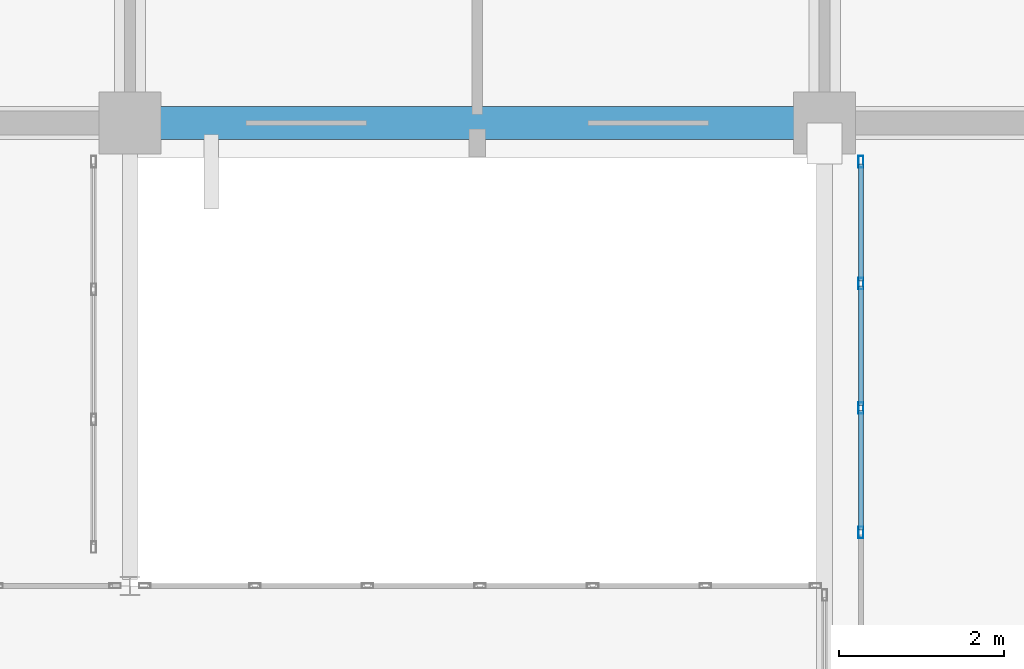
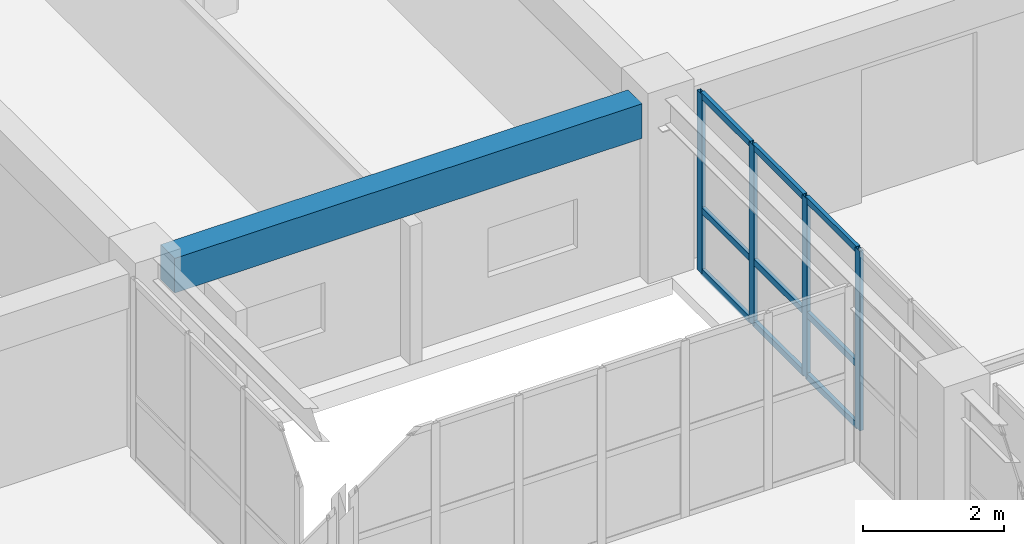
# One storey, part 101 of 200: 13 members, 1 beam, 1 element without a shape of its own.
"""IFC4 building model written with IfcOpenShell, lengths in metres."""

import ifcopenshell
import ifcopenshell.guid

model = None  # the IFC model being written
_history = None  # IfcOwnerHistory: only IFC2X3 demands one
_inside = {}  # id of a spatial element -> (the spatial element, [elements in it])
_under = {}  # id of a project, library or spatial element -> (it, [spatial elements below it])
_declared = {}  # id of a project -> (the project, [libraries it declares])
_typed = {}  # id of a type object -> (the type object, [elements of that type])
_made_of = {}  # id of a material, layer set ... -> (it, [elements and type objects made of it])


def new_model(schema):
    """Start an empty IFC model of exactly this schema.

    Asked for "IFC4X3", IfcOpenShell would pick the latest addendum, in which some entities
    have other attributes; the version numbers below select the first issue.
    IFC2X3 requires an IfcOwnerHistory on every rooted entity: one is made here for all.
    """
    global model, _history
    if schema == "IFC4X3":
        model = ifcopenshell.file(schema_version=(4, 3, 0, 0))
    else:
        model = ifcopenshell.file(schema=schema)
    _inside.clear()
    _under.clear()
    _declared.clear()
    _typed.clear()
    _made_of.clear()
    _history = None
    if model.schema == "IFC2X3":
        org = make("IfcOrganization", Name="unknown")
        user = make(
            "IfcPersonAndOrganization",
            ThePerson=make("IfcPerson", FamilyName="unknown"),
            TheOrganization=org,
        )
        app = make(
            "IfcApplication",
            ApplicationDeveloper=org,
            Version="unknown",
            ApplicationFullName="unknown",
            ApplicationIdentifier="unknown",
        )
        _history = make(
            "IfcOwnerHistory",
            OwningUser=user,
            OwningApplication=app,
            ChangeAction="ADDED",
            CreationDate=0,
        )
    return model


def make(cls, **values):
    """One entity of the class cls with the attributes given. An attribute that is None is left unset."""
    return model.create_entity(
        cls, **{name: value for name, value in values.items() if value is not None}
    )


def rooted(cls, **values):
    """An entity with a GlobalId (a new one), such as an element, a storey or a relation."""
    return make(cls, GlobalId=ifcopenshell.guid.new(), OwnerHistory=_history, **values)


def si_unit(unit_type, name, prefix=None):
    """IfcSIUnit, for example si_unit("LENGTHUNIT", "METRE", prefix="MILLI")."""
    return make("IfcSIUnit", UnitType=unit_type, Prefix=prefix, Name=name)


def assignment(units):
    """IfcUnitAssignment: the units of a project."""
    return None if units is None else make("IfcUnitAssignment", Units=units)


def point(xyz):
    """IfcCartesianPoint."""
    return None if xyz is None else make("IfcCartesianPoint", Coordinates=xyz)


def direction(xyz):
    """IfcDirection."""
    return None if xyz is None else make("IfcDirection", DirectionRatios=xyz)


def frame(location, z_axis=None, x_axis=None):
    """IfcAxis2Placement3D, a coordinate frame: its origin and axes. An axis left out is left unset."""
    return make(
        "IfcAxis2Placement3D",
        Location=point(location),
        Axis=direction(z_axis),
        RefDirection=direction(x_axis),
    )


def frame_2d(location, x_axis=None):
    """IfcAxis2Placement2D, a coordinate frame in the plane: its origin and x axis."""
    return make(
        "IfcAxis2Placement2D", Location=point(location), RefDirection=direction(x_axis)
    )


def origin():
    """The frame at (0, 0, 0) with its axes left unset."""
    return frame((0.0, 0.0, 0.0))


def origin_2d():
    """The frame at (0, 0) in the plane with its x axis left unset."""
    return frame_2d((0.0, 0.0))


def place(relative_to, where):
    """IfcLocalPlacement: puts the frame where relative to a parent placement (None: the world)."""
    return make(
        "IfcLocalPlacement", PlacementRelTo=relative_to, RelativePlacement=where
    )


def context(
    kind, dimensions, precision=None, world=None, true_north=None, identifier=None
):
    """IfcGeometricRepresentationContext, for example the 3D "Model" context."""
    return make(
        "IfcGeometricRepresentationContext",
        ContextIdentifier=identifier,
        ContextType=kind,
        CoordinateSpaceDimension=dimensions,
        Precision=precision,
        WorldCoordinateSystem=world,
        TrueNorth=true_north,
    )


def subcontext(parent, identifier, kind, view, scale=None):
    """IfcGeometricRepresentationSubContext, for example "Body" below "Model"."""
    return make(
        "IfcGeometricRepresentationSubContext",
        ContextIdentifier=identifier,
        ContextType=kind,
        ParentContext=parent,
        TargetScale=scale,
        TargetView=view,
    )


def project(units=None, contexts=None):
    """IfcProject with its units and contexts."""
    return rooted(
        "IfcProject",
        Name="project",
        RepresentationContexts=contexts,
        UnitsInContext=assignment(units),
    )


def spatial(cls, under=None, at=None, **own):
    """A site, building, storey or space (cls), placed at a placement, below another one or the project."""
    s = rooted(cls, ObjectPlacement=at, **own)
    if under is not None:
        _under.setdefault(under.id(), (under, []))[1].append(s)
    return s


def profile(cls, at=None, kind="AREA", **sizes):
    """A parametric profile (cls). Its sizes go by their IFC names, for example OverallWidth=200.0."""
    return make(cls, ProfileType=kind, Position=at, **sizes)


def rectangle(**sizes):
    """IfcRectangleProfileDef."""
    return profile("IfcRectangleProfileDef", **sizes)


def hollow_rectangle(**sizes):
    """IfcRectangleHollowProfileDef."""
    return profile("IfcRectangleHollowProfileDef", **sizes)


def extrude(swept, where, along, depth):
    """IfcExtrudedAreaSolid: the profile swept, set in the frame where, extruded along a direction by depth."""
    return make(
        "IfcExtrudedAreaSolid",
        SweptArea=swept,
        Position=where,
        ExtrudedDirection=direction(along),
        Depth=depth,
    )


def shape(context_of_items, identifier, shape_type, items):
    """IfcShapeRepresentation: the items that make up one representation, for example the "Body"."""
    return make(
        "IfcShapeRepresentation",
        ContextOfItems=context_of_items,
        RepresentationIdentifier=identifier,
        RepresentationType=shape_type,
        Items=items,
    )


def material(Name=None, Category=None):
    """IfcMaterial."""
    return make("IfcMaterial", Name=Name, Category=Category)


def layer(
    of_material, thickness, ventilated=None, Name=None, Category=None, Priority=None
):
    """IfcMaterialLayer: one layer of a wall or slab, of a material (None: an air gap)."""
    return make(
        "IfcMaterialLayer",
        Material=of_material,
        LayerThickness=thickness,
        IsVentilated=ventilated,
        Name=Name,
        Category=Category,
        Priority=Priority,
    )


def layer_set(layers, Name=None):
    """IfcMaterialLayerSet."""
    return make("IfcMaterialLayerSet", MaterialLayers=layers, LayerSetName=Name)


def material_profile(
    of_material, cross_section, Name=None, Category=None, Priority=None
):
    """IfcMaterialProfile: a cross section and its material."""
    return make(
        "IfcMaterialProfile",
        Name=Name,
        Material=of_material,
        Profile=cross_section,
        Priority=Priority,
        Category=Category,
    )


def profile_set(profiles, Name=None, composite=None):
    """IfcMaterialProfileSet."""
    return make(
        "IfcMaterialProfileSet",
        Name=Name,
        MaterialProfiles=profiles,
        CompositeProfile=composite,
    )


def made_of(thing, what):
    """Note that an element or type object is made of a material, layer set ...; save() writes the relation."""
    if what is not None:
        _made_of.setdefault(what.id(), (what, []))[1].append(thing)
    return thing


def type_object(cls, material=None, **own):
    """A type object (cls), such as IfcWallType, which elements share."""
    return made_of(rooted(cls, **own), material)


def element(
    cls,
    number,
    at=None,
    inside=None,
    cuts=None,
    type_object=None,
    material=None,
    context=None,
    identifier="Body",
    shape_type=None,
    held_by="IfcProductDefinitionShape",
    body=None,
    shapes=None,
    **own,
):
    """One element of the class cls, such as IfcWall. Its Tag is "e" and its number.

    at: its placement. inside: the storey or other place that contains it. cuts: it is an
    opening in that element (IfcRelVoidsElement). A single representation is given by context,
    identifier, shape_type and body (its items); several are given by shapes. held_by: the class
    of the entity that holds the representations. save() writes the other relations.
    """
    e = rooted(cls, Tag="e%d" % number, ObjectPlacement=at, **own)
    if body is not None:
        shapes = [shape(context, identifier, shape_type, body)]
    if shapes is not None:
        e.Representation = make(held_by, Representations=shapes)
    if inside is not None:
        _inside.setdefault(inside.id(), (inside, []))[1].append(e)
    if cuts is not None:
        rooted(
            "IfcRelVoidsElement", RelatingBuildingElement=cuts, RelatedOpeningElement=e
        )
    if type_object is not None:
        _typed.setdefault(type_object.id(), (type_object, []))[1].append(e)
    return made_of(e, material)


def aggregate(whole, parts):
    """IfcRelAggregates: a whole, such as a stair, and the parts it consists of."""
    return rooted("IfcRelAggregates", RelatingObject=whole, RelatedObjects=parts)


def save(model, path):
    """Write the relations noted so far, then the file.

    IfcRelAggregates (storeys below a building ...), IfcRelContainedInSpatialStructure (elements
    in a storey), IfcRelDefinesByType, IfcRelAssociatesMaterial and IfcRelDeclares: one each for
    every whole, place, type object, material and project.
    """
    for whole, parts in _under.values():
        aggregate(whole, parts)
    for where, things in _inside.values():
        rooted(
            "IfcRelContainedInSpatialStructure",
            RelatedElements=things,
            RelatingStructure=where,
        )
    for kind, things in _typed.values():
        rooted("IfcRelDefinesByType", RelatedObjects=things, RelatingType=kind)
    for what, things in _made_of.values():
        rooted("IfcRelAssociatesMaterial", RelatedObjects=things, RelatingMaterial=what)
    for by, libraries in _declared.values():
        rooted("IfcRelDeclares", RelatingContext=by, RelatedDefinitions=libraries)
    model.write(path)


model = new_model("IFC4")

# Units and contexts
model_context = context("Model", 3, precision=1e-05, world=origin(), true_north=direction((0.0, 1.0)))
body_context = subcontext(model_context, "Body", "Model", "MODEL_VIEW")
ifc_project = project(units=[si_unit("LENGTHUNIT", "METRE"), si_unit("AREAUNIT", "SQUARE_METRE"), si_unit("VOLUMEUNIT", "CUBIC_METRE"), si_unit("PLANEANGLEUNIT", "RADIAN"), si_unit("MASSUNIT", "GRAM", prefix="KILO")], contexts=[model_context])

# Site, building, storey
site_placement = place(None, origin())
site = spatial("IfcSite", under=ifc_project, at=site_placement, CompositionType="ELEMENT")
building_placement = place(site_placement, origin())
building = spatial("IfcBuilding", under=site, at=building_placement, Name="Trelvath General Hospital", CompositionType="ELEMENT")
storey_placement = place(building_placement, frame((0.0, 0.0, 4.800048828125)))
storey = spatial("IfcBuildingStorey", under=building, at=storey_placement, Name="L01", CompositionType="ELEMENT", Elevation=4.800048828125)

# Beam
ifc_material_1 = material(Name="Concrete C35/45", Category="concrete")
ifc_material_profile_1 = material_profile(ifc_material_1, rectangle(XDim=0.39990234375, YDim=0.60009765625, at=origin_2d()), Name="RCB400x600")
ifc_profile_set_1 = profile_set([ifc_material_profile_1], Name="Concrete C35/45")
beam_type = type_object("IfcBeamType", Name="Beam RC400x600", PredefinedType="BEAM", material=ifc_profile_set_1)
beam_placement = place(storey_placement, frame((67.570068359375, 92.39990234375, 2.719970703125), z_axis=(1.0, 0.0, 0.0), x_axis=(0.0, 1.0, 0.0)))
element("IfcBeam", 1, at=beam_placement, inside=storey, type_object=beam_type, Name="Grid Beam BX-108L", PredefinedType="BEAM", context=body_context, shape_type="SweptSolid", body=[
    extrude(rectangle(XDim=0.39990234375, YDim=0.60009765625, at=origin_2d()), origin(), (0.0, 0.0, 1.0), 7.659912109375),
])

# Curtain wall, members
ifc_material_2 = material(Name="Anodised aluminium and low-E glass", Category="aluminium")
ifc_layer = layer(ifc_material_2, 0.139892578125)
ifc_layer_set = layer_set([ifc_layer], Name="Anodised aluminium and low-E glass")
curtain_wall_type = type_object("IfcCurtainWallType", Name="CW Bridge 752 311", PredefinedType="USERDEFINED", material=ifc_layer_set)
curtain_wall_placement = place(storey_placement, origin())
curtain_wall = element("IfcCurtainWall", 2, at=curtain_wall_placement, inside=storey, type_object=curtain_wall_type, Name="Glazed Bridge Curtain Wall BRG-N-C W L01", ObjectType="Unitised Glazed Curtain Wall", PredefinedType="USERDEFINED")
ifc_material_3 = material(Name="Anodised aluminium", Category="aluminium")
ifc_material_profile_2 = material_profile(ifc_material_3, hollow_rectangle(XDim=0.06005859375, YDim=0.139892578125, WallThickness=0.00390625, at=origin_2d()), Name="RHS60x140x4")
ifc_profile_set_2 = profile_set([ifc_material_profile_2], Name="Anodised aluminium")
member_type_1 = type_object("IfcMemberType", Name="CurtainMullion 60x140", PredefinedType="MULLION", material=ifc_profile_set_2)
member_1_placement = place(storey_placement, frame((76.0400390625, 87.447998046875, 0.0), z_axis=(0.0, 0.0, 1.0), x_axis=(-1.0, 0.0, 0.0)))
member_1 = element("IfcMember", 3, at=member_1_placement, type_object=member_type_1, Name="CW-176 mullion 3", PredefinedType="MULLION", context=body_context, shape_type="SweptSolid", body=[
    extrude(hollow_rectangle(XDim=0.06005859375, YDim=0.139892578125, WallThickness=0.00390625, at=origin_2d()), origin(), (0.0, 0.0, 1.0), 3.10986328125),
])
member_2_placement = place(storey_placement, frame((76.0400390625, 88.951904296875, 0.0), z_axis=(0.0, 0.0, 1.0), x_axis=(-1.0, 0.0, 0.0)))
member_2 = element("IfcMember", 4, at=member_2_placement, type_object=member_type_1, Name="CW-176 mullion 4", PredefinedType="MULLION", context=body_context, shape_type="SweptSolid", body=[
    extrude(hollow_rectangle(XDim=0.06005859375, YDim=0.139892578125, WallThickness=0.00390625, at=origin_2d()), origin(), (0.0, 0.0, 1.0), 3.10986328125),
])
member_3_placement = place(storey_placement, frame((76.0400390625, 90.4560546875, 0.0), z_axis=(0.0, 0.0, 1.0), x_axis=(-1.0, 0.0, 0.0)))
member_3 = element("IfcMember", 5, at=member_3_placement, type_object=member_type_1, Name="CW-176 mullion 5", PredefinedType="MULLION", context=body_context, shape_type="SweptSolid", body=[
    extrude(hollow_rectangle(XDim=0.06005859375, YDim=0.139892578125, WallThickness=0.00390625, at=origin_2d()), origin(), (0.0, 0.0, 1.0), 3.10986328125),
])
member_4_placement = place(storey_placement, frame((76.0400390625, 91.929931640625, 0.0), z_axis=(0.0, 0.0, 1.0), x_axis=(-1.0, 0.0, 0.0)))
member_4 = element("IfcMember", 6, at=member_4_placement, type_object=member_type_1, Name="CW-176 mullion 6", PredefinedType="MULLION", context=body_context, shape_type="SweptSolid", body=[
    extrude(hollow_rectangle(XDim=0.06005859375, YDim=0.139892578125, WallThickness=0.00390625, at=origin_2d()), origin(), (0.0, 0.0, 1.0), 3.10986328125),
])
ifc_material_4 = material(Name="Anodised aluminium", Category="aluminium")
ifc_material_profile_3 = material_profile(ifc_material_4, hollow_rectangle(XDim=0.06005859375, YDim=0.110107421875, WallThickness=0.00390625, at=origin_2d()), Name="RHS60x110x4")
ifc_profile_set_3 = profile_set([ifc_material_profile_3], Name="Anodised aluminium")
member_type_2 = type_object("IfcMemberType", Name="CurtainTransom 60x110", PredefinedType="USERDEFINED", material=ifc_profile_set_3)
member_5_placement = place(storey_placement, frame((76.0400390625, 87.47802734375, 0.030029296875), z_axis=(0.0, 1.0, 0.0), x_axis=(-1.0, 0.0, 0.0)))
member_5 = element("IfcMember", 7, at=member_5_placement, type_object=member_type_2, Name="CW-176 transom 3.1", ObjectType="TRANSOM", PredefinedType="USERDEFINED", context=body_context, shape_type="SweptSolid", body=[
    extrude(hollow_rectangle(XDim=0.06005859375, YDim=0.110107421875, WallThickness=0.00390625, at=origin_2d()), origin(), (0.0, 0.0, 1.0), 1.444091796875),
])
member_6_placement = place(storey_placement, frame((76.0400390625, 87.47802734375, 1.099853515625), z_axis=(0.0, 1.0, 0.0), x_axis=(-1.0, 0.0, 0.0)))
member_6 = element("IfcMember", 8, at=member_6_placement, type_object=member_type_2, Name="CW-176 transom 3.2", ObjectType="TRANSOM", PredefinedType="USERDEFINED", context=body_context, shape_type="SweptSolid", body=[
    extrude(hollow_rectangle(XDim=0.06005859375, YDim=0.110107421875, WallThickness=0.00390625, at=origin_2d()), origin(), (0.0, 0.0, 1.0), 1.444091796875),
])
member_7_placement = place(storey_placement, frame((76.0400390625, 87.47802734375, 3.079833984375), z_axis=(0.0, 1.0, 0.0), x_axis=(-1.0, 0.0, 0.0)))
member_7 = element("IfcMember", 9, at=member_7_placement, type_object=member_type_2, Name="CW-176 transom 3.3", ObjectType="TRANSOM", PredefinedType="USERDEFINED", context=body_context, shape_type="SweptSolid", body=[
    extrude(hollow_rectangle(XDim=0.06005859375, YDim=0.110107421875, WallThickness=0.00390625, at=origin_2d()), origin(), (0.0, 0.0, 1.0), 1.444091796875),
])
member_8_placement = place(storey_placement, frame((76.0400390625, 88.98193359375, 0.030029296875), z_axis=(0.0, 1.0, 0.0), x_axis=(-1.0, 0.0, 0.0)))
member_8 = element("IfcMember", 10, at=member_8_placement, type_object=member_type_2, Name="CW-176 transom 4.1", ObjectType="TRANSOM", PredefinedType="USERDEFINED", context=body_context, shape_type="SweptSolid", body=[
    extrude(hollow_rectangle(XDim=0.06005859375, YDim=0.110107421875, WallThickness=0.00390625, at=origin_2d()), origin(), (0.0, 0.0, 1.0), 1.444091796875),
])
member_9_placement = place(storey_placement, frame((76.0400390625, 88.98193359375, 1.099853515625), z_axis=(0.0, 1.0, 0.0), x_axis=(-1.0, 0.0, 0.0)))
member_9 = element("IfcMember", 11, at=member_9_placement, type_object=member_type_2, Name="CW-176 transom 4.2", ObjectType="TRANSOM", PredefinedType="USERDEFINED", context=body_context, shape_type="SweptSolid", body=[
    extrude(hollow_rectangle(XDim=0.06005859375, YDim=0.110107421875, WallThickness=0.00390625, at=origin_2d()), origin(), (0.0, 0.0, 1.0), 1.444091796875),
])
member_10_placement = place(storey_placement, frame((76.0400390625, 88.98193359375, 3.079833984375), z_axis=(0.0, 1.0, 0.0), x_axis=(-1.0, 0.0, 0.0)))
member_10 = element("IfcMember", 12, at=member_10_placement, type_object=member_type_2, Name="CW-176 transom 4.3", ObjectType="TRANSOM", PredefinedType="USERDEFINED", context=body_context, shape_type="SweptSolid", body=[
    extrude(hollow_rectangle(XDim=0.06005859375, YDim=0.110107421875, WallThickness=0.00390625, at=origin_2d()), origin(), (0.0, 0.0, 1.0), 1.444091796875),
])
member_11_placement = place(storey_placement, frame((76.0400390625, 90.486083984375, 0.030029296875), z_axis=(0.0, 1.0, 0.0), x_axis=(-1.0, 0.0, 0.0)))
member_11 = element("IfcMember", 13, at=member_11_placement, type_object=member_type_2, Name="CW-176 transom 5.1", ObjectType="TRANSOM", PredefinedType="USERDEFINED", context=body_context, shape_type="SweptSolid", body=[
    extrude(hollow_rectangle(XDim=0.06005859375, YDim=0.110107421875, WallThickness=0.00390625, at=origin_2d()), origin(), (0.0, 0.0, 1.0), 1.413818359375),
])
member_12_placement = place(storey_placement, frame((76.0400390625, 90.486083984375, 1.099853515625), z_axis=(0.0, 1.0, 0.0), x_axis=(-1.0, 0.0, 0.0)))
member_12 = element("IfcMember", 14, at=member_12_placement, type_object=member_type_2, Name="CW-176 transom 5.2", ObjectType="TRANSOM", PredefinedType="USERDEFINED", context=body_context, shape_type="SweptSolid", body=[
    extrude(hollow_rectangle(XDim=0.06005859375, YDim=0.110107421875, WallThickness=0.00390625, at=origin_2d()), origin(), (0.0, 0.0, 1.0), 1.413818359375),
])
member_13_placement = place(storey_placement, frame((76.0400390625, 90.486083984375, 3.079833984375), z_axis=(0.0, 1.0, 0.0), x_axis=(-1.0, 0.0, 0.0)))
member_13 = element("IfcMember", 15, at=member_13_placement, type_object=member_type_2, Name="CW-176 transom 5.3", ObjectType="TRANSOM", PredefinedType="USERDEFINED", context=body_context, shape_type="SweptSolid", body=[
    extrude(hollow_rectangle(XDim=0.06005859375, YDim=0.110107421875, WallThickness=0.00390625, at=origin_2d()), origin(), (0.0, 0.0, 1.0), 1.413818359375),
])
aggregate(curtain_wall, [member_1, member_2, member_3, member_4, member_5, member_6, member_7, member_8, member_9, member_10, member_11, member_12, member_13])

save(model, "model.ifc")
